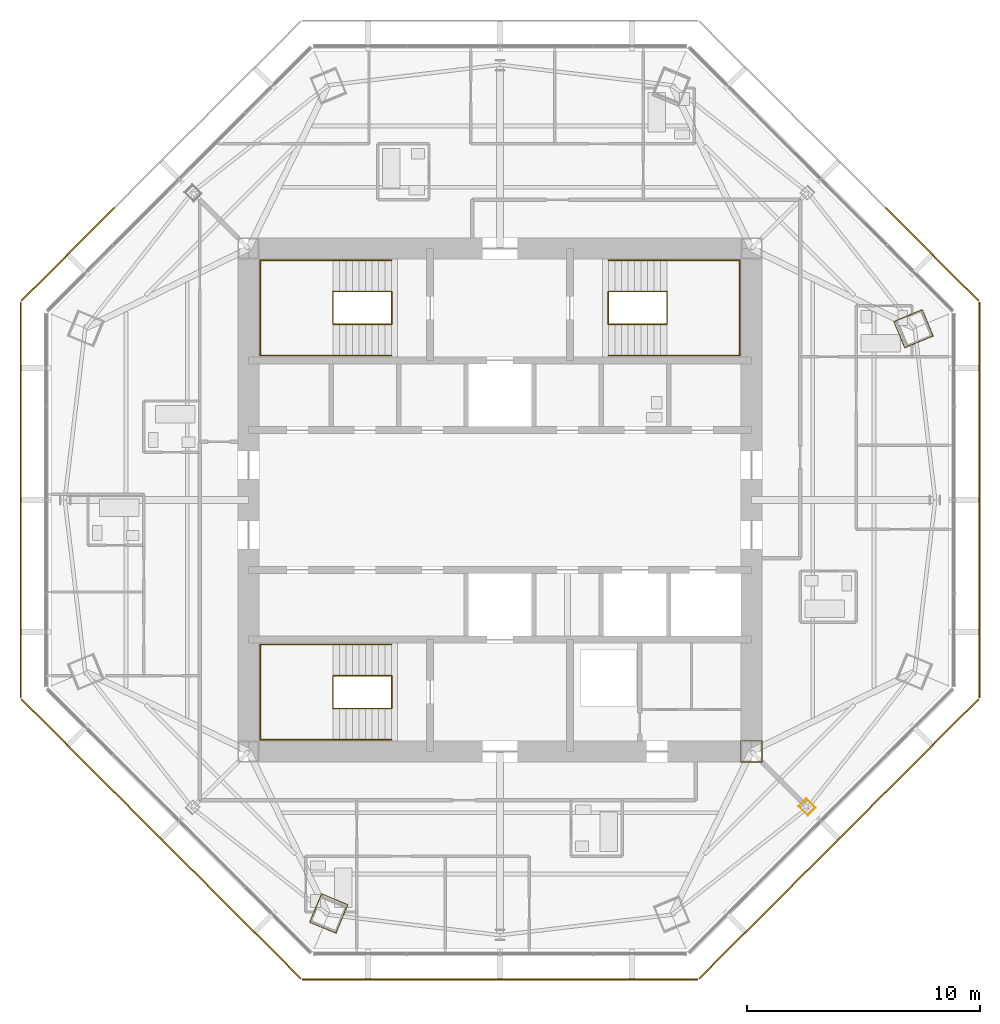
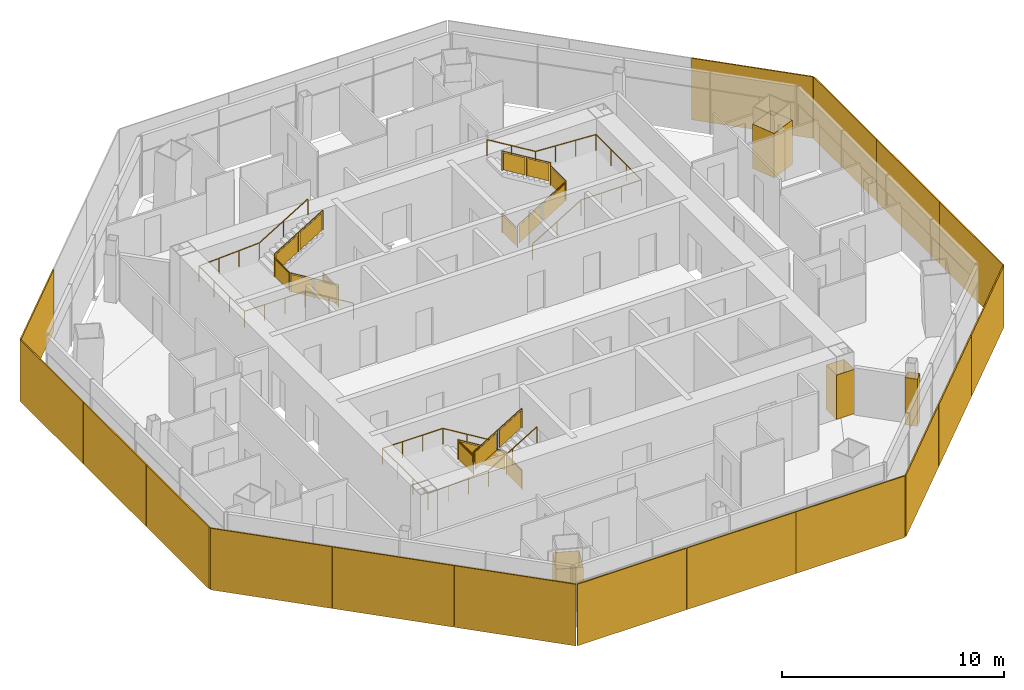
# One storey, part 13 of 15: 17 shading devices, 6 railings, 4 coverings.
"""IFC4 building model written with IfcOpenShell, lengths in metres."""

from ifc_helpers import new_model, si_unit, direction, frame, origin, origin_2d, place, context, subcontext, project, spatial, polyline, rectangle, circle, outline, extrude, source, transform, mapped, material, layer, layer_set, type_object, type_shapes, element, save


model = new_model("IFC4")

# Units and contexts
model_context = context("Model", 3, precision=1e-05, world=origin(), true_north=direction((0.0, 1.0)))
body_context = subcontext(model_context, "Body", "Model", "MODEL_VIEW")
ifc_project = project(units=[si_unit("LENGTHUNIT", "METRE"), si_unit("AREAUNIT", "SQUARE_METRE"), si_unit("VOLUMEUNIT", "CUBIC_METRE"), si_unit("PLANEANGLEUNIT", "RADIAN"), si_unit("MASSUNIT", "GRAM", prefix="KILO")], contexts=[model_context])

# Site, building, storey
site_placement = place(None, origin())
site = spatial("IfcSite", under=ifc_project, at=site_placement, CompositionType="ELEMENT")
building_placement = place(site_placement, origin())
building = spatial("IfcBuilding", under=site, at=building_placement, Name="Mashrafa Tower", CompositionType="ELEMENT")
storey_placement = place(building_placement, frame((0.0, 0.0, 301.39990234375)))
storey = spatial("IfcBuildingStorey", under=building, at=storey_placement, Name="L74", CompositionType="ELEMENT", Elevation=301.39990234375)

# Coverings
ifc_material_1 = material(Name="Gypsum board")
ifc_layer_1 = layer(ifc_material_1, 0.014892578125)
ifc_layer_set_1 = layer_set([ifc_layer_1], Name="Column casing plasterboard 15")
covering_type = type_object("IfcCoveringType", Name="Column casing plasterboard 15", PredefinedType="CLADDING", material=ifc_layer_set_1)
covering_1_placement = place(storey_placement, origin())
element("IfcCovering", 1, at=covering_1_placement, inside=storey, type_object=covering_type, Name="Column casing L74-001", PredefinedType="CLADDING", context=body_context, shape_type="SweptSolid", body=[
    extrude(outline(polyline([(16.910400390625, 7.670166015625), (18.033447265625, 8.13525390625), (18.143310546875, 8.180908203125), (18.614013671875, 7.044677734375), (18.504150390625, 6.9990234375), (17.381103515625, 6.53369140625), (16.910400390625, 7.670166015625)]), holes=[polyline([(18.498291015625, 7.0126953125), (18.594482421875, 7.052734375), (18.13525390625, 8.161376953125), (18.0390625, 8.12158203125), (16.929931640625, 7.662109375), (17.38916015625, 6.553466796875), (18.498291015625, 7.0126953125)])]), origin(), (0.0, 0.0, 1.0), 2.435791015625),
])
covering_2_placement = place(storey_placement, origin())
element("IfcCovering", 2, at=covering_2_placement, inside=storey, type_object=covering_type, Name="Column casing L74-003", PredefinedType="CLADDING", context=body_context, shape_type="SweptSolid", body=[
    extrude(outline(polyline([(-8.180908203125, -18.143310546875), (-8.13525390625, -18.033447265625), (-7.670166015625, -16.910400390625), (-6.53369140625, -17.381103515625), (-6.9990234375, -18.504150390625), (-7.044677734375, -18.614013671875), (-8.180908203125, -18.143310546875)]), holes=[polyline([(-7.0126953125, -18.498291015625), (-6.553466796875, -17.38916015625), (-7.662109375, -16.929931640625), (-8.12158203125, -18.0390625), (-8.161376953125, -18.13525390625), (-7.052734375, -18.594482421875), (-7.0126953125, -18.498291015625)])]), origin(), (0.0, 0.0, 1.0), 2.435791015625),
])
covering_3_placement = place(storey_placement, origin())
element("IfcCovering", 3, at=covering_3_placement, inside=storey, type_object=covering_type, Name="Column casing L74-005", PredefinedType="CLADDING", context=body_context, shape_type="SweptSolid", body=[
    extrude(outline(polyline([(12.807373046875, -13.146728515625), (13.146728515625, -12.807373046875), (13.55419921875, -13.21484375), (13.21484375, -13.55419921875), (12.807373046875, -13.146728515625)]), holes=[polyline([(13.533203125, -13.21484375), (13.146728515625, -12.82861328125), (12.82861328125, -13.146728515625), (13.21484375, -13.533203125), (13.533203125, -13.21484375)])]), origin(), (0.0, 0.0, 1.0), 2.590576171875),
])
covering_4_placement = place(storey_placement, origin())
element("IfcCovering", 4, at=covering_4_placement, inside=storey, type_object=covering_type, Name="Column casing L74-006", PredefinedType="CLADDING", context=body_context, shape_type="SweptSolid", body=[
    extrude(outline(polyline([(10.3349609375, -10.3349609375), (11.264892578125, -10.3349609375), (11.264892578125, -11.264892578125), (10.3349609375, -11.264892578125), (10.3349609375, -10.3349609375)]), holes=[polyline([(11.25, -11.25), (11.25, -10.35009765625), (10.35009765625, -10.35009765625), (10.35009765625, -11.25), (11.25, -11.25)])]), origin(), (0.0, 0.0, 1.0), 2.435791015625),
])

# Railings
ifc_material_2 = material(Name="Steel guard with glass infill", Category="steel")
railing_type_1 = type_object("IfcRailingType", Name="Stair guard 1100", PredefinedType="GUARDRAIL", material=ifc_material_2)
railing_1_placement = place(storey_placement, frame((-4.64990234375, 8.949951171875, 0.0)))
element("IfcRailing", 5, at=railing_1_placement, inside=storey, type_object=railing_type_1, Name="Stair S1 guard L74", PredefinedType="GUARDRAIL", context=body_context, shape_type="SweptSolid", body=[
    extrude(circle(Radius=0.02392578125, at=origin_2d()), frame((0.0, 0.0, 1.076171875), z_axis=(0.0, -1.0, 0.0), x_axis=(1.0, 0.0, 0.0)), (0.0, 0.0, 1.0), 1.39990234375),
    extrude(circle(Radius=0.02392578125, at=origin_2d()), frame((0.0, -1.39990234375, 1.076171875), z_axis=(0.0, 0.0, 1.0), x_axis=(1.0, 0.0, 0.0)), (0.0, 0.0, 1.0), 0.170166015625),
    extrude(circle(Radius=0.02392578125, at=origin_2d()), frame((0.0, -1.39990234375, 1.24609375), z_axis=(-0.85478489116, 0.0, 0.518982456201), x_axis=(0.0, -1.0, 0.0)), (0.0, 0.0, 1.0), 2.9482421875),
    extrude(circle(Radius=0.02392578125, at=origin_2d()), frame((-2.52001953125, -1.39990234375, 2.7763671875), z_axis=(0.0, 1.0, 0.0), x_axis=(-1.0, 0.0, 0.0)), (0.0, 0.0, 1.0), 1.39990234375),
    extrude(circle(Radius=0.02392578125, at=origin_2d()), frame((-2.52001953125, 0.0, 2.7763671875), z_axis=(0.0, 0.0, 1.0), x_axis=(1.0, 0.0, 0.0)), (0.0, 0.0, 1.0), 0.169921875),
    extrude(circle(Radius=0.02392578125, at=origin_2d()), frame((-2.52001953125, 0.0, 2.9462890625), z_axis=(0.85478489116, 0.0, 0.518982456201), x_axis=(0.0, 1.0, 0.0)), (0.0, 0.0, 1.0), 2.9482421875),
    extrude(circle(Radius=0.02099609375, at=origin_2d()), origin(), (0.0, 0.0, 1.0), 1.052001953125),
    extrude(circle(Radius=0.02099609375, at=origin_2d()), frame((0.0, -1.39990234375, 0.0)), (0.0, 0.0, 1.0), 1.052001953125),
    extrude(circle(Radius=0.02099609375, at=origin_2d()), frame((0.0, -1.39990234375, 0.170166015625)), (0.0, 0.0, 1.0), 1.052001953125),
    extrude(circle(Radius=0.02099609375, at=origin_2d()), frame((-1.260009765625, -1.39990234375, 0.93505859375)), (0.0, 0.0, 1.0), 1.052001953125),
    extrude(circle(Radius=0.02099609375, at=origin_2d()), frame((-2.52001953125, -1.39990234375, 1.7001953125)), (0.0, 0.0, 1.0), 1.052001953125),
    extrude(circle(Radius=0.02099609375, at=origin_2d()), frame((-2.52001953125, 0.0, 1.7001953125)), (0.0, 0.0, 1.0), 1.052001953125),
    extrude(circle(Radius=0.02099609375, at=origin_2d()), frame((-2.52001953125, 0.0, 1.8701171875)), (0.0, 0.0, 1.0), 1.052001953125),
    extrude(circle(Radius=0.02099609375, at=origin_2d()), frame((-1.260009765625, 0.0, 2.63525390625)), (0.0, 0.0, 1.0), 1.052001953125),
    extrude(circle(Radius=0.02099609375, at=origin_2d()), frame((0.0, 0.0, 3.400146484375)), (0.0, 0.0, 1.0), 1.052001953125),
    extrude(outline(polyline([(0.071044921875, 0.050048828125), (1.328857421875, 0.050048828125), (1.328857421875, 1.001953125), (0.071044921875, 1.001953125), (0.071044921875, 0.050048828125)])), frame((-0.006103515625, 0.0, 0.0), z_axis=(-1.0, 0.0, 0.0), x_axis=(0.0, -1.0, 0.0)), (0.0, 0.0, 1.0), 0.011962890625),
    extrude(outline(polyline([(0.071044921875, 0.093017578125), (1.18896484375, 0.77197265625), (1.18896484375, 1.723876953125), (0.071044921875, 1.045166015625), (0.071044921875, 0.093017578125)])), frame((0.0, -1.393798828125, 0.170166015625), z_axis=(0.0, 1.0, 0.0), x_axis=(-1.0, 0.0, 0.0)), (0.0, 0.0, 1.0), 0.011962890625),
    extrude(outline(polyline([(1.3310546875, 0.858154296875), (2.448974609375, 1.536865234375), (2.448974609375, 2.489013671875), (1.3310546875, 1.81005859375), (1.3310546875, 0.858154296875)])), frame((0.0, -1.393798828125, 0.170166015625), z_axis=(0.0, 1.0, 0.0), x_axis=(-1.0, 0.0, 0.0)), (0.0, 0.0, 1.0), 0.011962890625),
    extrude(outline(polyline([(0.071044921875, 0.050048828125), (1.328857421875, 0.050048828125), (1.328857421875, 1.001953125), (0.071044921875, 1.001953125), (0.071044921875, 0.050048828125)])), frame((-2.513916015625, -1.39990234375, 1.7001953125), z_axis=(1.0, 0.0, 0.0), x_axis=(0.0, 1.0, 0.0)), (0.0, 0.0, 1.0), 0.011962890625),
    extrude(outline(polyline([(0.071044921875, 0.093017578125), (1.18896484375, 0.77197265625), (1.18896484375, 1.723876953125), (0.071044921875, 1.045166015625), (0.071044921875, 0.093017578125)])), frame((-2.52001953125, -0.006103515625, 1.8701171875), z_axis=(0.0, -1.0, 0.0), x_axis=(1.0, 0.0, 0.0)), (0.0, 0.0, 1.0), 0.011962890625),
    extrude(outline(polyline([(1.3310546875, 0.858154296875), (2.448974609375, 1.536865234375), (2.448974609375, 2.489013671875), (1.3310546875, 1.81005859375), (1.3310546875, 0.858154296875)])), frame((-2.52001953125, -0.006103515625, 1.8701171875), z_axis=(0.0, -1.0, 0.0), x_axis=(1.0, 0.0, 0.0)), (0.0, 0.0, 1.0), 0.011962890625),
])
railing_2_placement = place(storey_placement, frame((4.64990234375, 8.949951171875, 0.0)))
element("IfcRailing", 6, at=railing_2_placement, inside=storey, type_object=railing_type_1, Name="Stair S2 guard L74", PredefinedType="GUARDRAIL", context=body_context, shape_type="SweptSolid", body=[
    extrude(circle(Radius=0.02392578125, at=origin_2d()), frame((0.0, 0.0, 1.076171875), z_axis=(0.0, -1.0, 0.0), x_axis=(1.0, 0.0, 0.0)), (0.0, 0.0, 1.0), 1.39990234375),
    extrude(circle(Radius=0.02392578125, at=origin_2d()), frame((0.0, -1.39990234375, 1.076171875), z_axis=(0.0, 0.0, 1.0), x_axis=(1.0, 0.0, 0.0)), (0.0, 0.0, 1.0), 0.170166015625),
    extrude(circle(Radius=0.02392578125, at=origin_2d()), frame((0.0, -1.39990234375, 1.24609375), z_axis=(0.85478489116, 0.0, 0.518982456201), x_axis=(0.0, 1.0, 0.0)), (0.0, 0.0, 1.0), 2.9482421875),
    extrude(circle(Radius=0.02392578125, at=origin_2d()), frame((2.52001953125, -1.39990234375, 2.7763671875), z_axis=(0.0, 1.0, 0.0), x_axis=(-1.0, 0.0, 0.0)), (0.0, 0.0, 1.0), 1.39990234375),
    extrude(circle(Radius=0.02392578125, at=origin_2d()), frame((2.52001953125, 0.0, 2.7763671875), z_axis=(0.0, 0.0, 1.0), x_axis=(1.0, 0.0, 0.0)), (0.0, 0.0, 1.0), 0.169921875),
    extrude(circle(Radius=0.02392578125, at=origin_2d()), frame((2.52001953125, 0.0, 2.9462890625), z_axis=(-0.85478489116, 0.0, 0.518982456201), x_axis=(0.0, -1.0, 0.0)), (0.0, 0.0, 1.0), 2.9482421875),
    extrude(circle(Radius=0.02099609375, at=origin_2d()), origin(), (0.0, 0.0, 1.0), 1.052001953125),
    extrude(circle(Radius=0.02099609375, at=origin_2d()), frame((0.0, -1.39990234375, 0.0)), (0.0, 0.0, 1.0), 1.052001953125),
    extrude(circle(Radius=0.02099609375, at=origin_2d()), frame((0.0, -1.39990234375, 0.170166015625)), (0.0, 0.0, 1.0), 1.052001953125),
    extrude(circle(Radius=0.02099609375, at=origin_2d()), frame((1.260009765625, -1.39990234375, 0.93505859375)), (0.0, 0.0, 1.0), 1.052001953125),
    extrude(circle(Radius=0.02099609375, at=origin_2d()), frame((2.52001953125, -1.39990234375, 1.7001953125)), (0.0, 0.0, 1.0), 1.052001953125),
    extrude(circle(Radius=0.02099609375, at=origin_2d()), frame((2.52001953125, 0.0, 1.7001953125)), (0.0, 0.0, 1.0), 1.052001953125),
    extrude(circle(Radius=0.02099609375, at=origin_2d()), frame((2.52001953125, 0.0, 1.8701171875)), (0.0, 0.0, 1.0), 1.052001953125),
    extrude(circle(Radius=0.02099609375, at=origin_2d()), frame((1.260009765625, 0.0, 2.63525390625)), (0.0, 0.0, 1.0), 1.052001953125),
    extrude(circle(Radius=0.02099609375, at=origin_2d()), frame((0.0, 0.0, 3.400146484375)), (0.0, 0.0, 1.0), 1.052001953125),
    extrude(outline(polyline([(0.071044921875, 0.050048828125), (1.328857421875, 0.050048828125), (1.328857421875, 1.001953125), (0.071044921875, 1.001953125), (0.071044921875, 0.050048828125)])), frame((-0.006103515625, 0.0, 0.0), z_axis=(-1.0, 0.0, 0.0), x_axis=(0.0, -1.0, 0.0)), (0.0, 0.0, 1.0), 0.011962890625),
    extrude(outline(polyline([(0.071044921875, 0.093017578125), (1.18896484375, 0.77197265625), (1.18896484375, 1.723876953125), (0.071044921875, 1.045166015625), (0.071044921875, 0.093017578125)])), frame((0.0, -1.406005859375, 0.170166015625), z_axis=(0.0, -1.0, 0.0), x_axis=(1.0, 0.0, 0.0)), (0.0, 0.0, 1.0), 0.011962890625),
    extrude(outline(polyline([(1.3310546875, 0.858154296875), (2.448974609375, 1.536865234375), (2.448974609375, 2.489013671875), (1.3310546875, 1.81005859375), (1.3310546875, 0.858154296875)])), frame((0.0, -1.406005859375, 0.170166015625), z_axis=(0.0, -1.0, 0.0), x_axis=(1.0, 0.0, 0.0)), (0.0, 0.0, 1.0), 0.011962890625),
    extrude(outline(polyline([(0.071044921875, 0.050048828125), (1.328857421875, 0.050048828125), (1.328857421875, 1.001953125), (0.071044921875, 1.001953125), (0.071044921875, 0.050048828125)])), frame((2.526123046875, -1.39990234375, 1.7001953125), z_axis=(1.0, 0.0, 0.0), x_axis=(0.0, 1.0, 0.0)), (0.0, 0.0, 1.0), 0.011962890625),
    extrude(outline(polyline([(0.071044921875, 0.093017578125), (1.18896484375, 0.77197265625), (1.18896484375, 1.723876953125), (0.071044921875, 1.045166015625), (0.071044921875, 0.093017578125)])), frame((2.52001953125, 0.006103515625, 1.8701171875), z_axis=(0.0, 1.0, 0.0), x_axis=(-1.0, 0.0, 0.0)), (0.0, 0.0, 1.0), 0.011962890625),
    extrude(outline(polyline([(1.3310546875, 0.858154296875), (2.448974609375, 1.536865234375), (2.448974609375, 2.489013671875), (1.3310546875, 1.81005859375), (1.3310546875, 0.858154296875)])), frame((2.52001953125, 0.006103515625, 1.8701171875), z_axis=(0.0, 1.0, 0.0), x_axis=(-1.0, 0.0, 0.0)), (0.0, 0.0, 1.0), 0.011962890625),
])
railing_3_placement = place(storey_placement, frame((-4.64990234375, -8.949951171875, 0.0)))
element("IfcRailing", 7, at=railing_3_placement, inside=storey, type_object=railing_type_1, Name="Stair S3 guard L74", PredefinedType="GUARDRAIL", context=body_context, shape_type="SweptSolid", body=[
    extrude(circle(Radius=0.02392578125, at=origin_2d()), frame((0.0, 0.0, 1.076171875), z_axis=(0.0, 1.0, 0.0), x_axis=(-1.0, 0.0, 0.0)), (0.0, 0.0, 1.0), 1.39990234375),
    extrude(circle(Radius=0.02392578125, at=origin_2d()), frame((0.0, 1.39990234375, 1.076171875), z_axis=(0.0, 0.0, 1.0), x_axis=(1.0, 0.0, 0.0)), (0.0, 0.0, 1.0), 0.170166015625),
    extrude(circle(Radius=0.02392578125, at=origin_2d()), frame((0.0, 1.39990234375, 1.24609375), z_axis=(-0.85478489116, 0.0, 0.518982456201), x_axis=(0.0, -1.0, 0.0)), (0.0, 0.0, 1.0), 2.9482421875),
    extrude(circle(Radius=0.02392578125, at=origin_2d()), frame((-2.52001953125, 1.39990234375, 2.7763671875), z_axis=(0.0, -1.0, 0.0), x_axis=(1.0, 0.0, 0.0)), (0.0, 0.0, 1.0), 1.39990234375),
    extrude(circle(Radius=0.02392578125, at=origin_2d()), frame((-2.52001953125, 0.0, 2.7763671875), z_axis=(0.0, 0.0, 1.0), x_axis=(1.0, 0.0, 0.0)), (0.0, 0.0, 1.0), 0.169921875),
    extrude(circle(Radius=0.02392578125, at=origin_2d()), frame((-2.52001953125, 0.0, 2.9462890625), z_axis=(0.85478489116, 0.0, 0.518982456201), x_axis=(0.0, 1.0, 0.0)), (0.0, 0.0, 1.0), 2.9482421875),
    extrude(circle(Radius=0.02099609375, at=origin_2d()), origin(), (0.0, 0.0, 1.0), 1.052001953125),
    extrude(circle(Radius=0.02099609375, at=origin_2d()), frame((0.0, 1.39990234375, 0.0)), (0.0, 0.0, 1.0), 1.052001953125),
    extrude(circle(Radius=0.02099609375, at=origin_2d()), frame((0.0, 1.39990234375, 0.170166015625)), (0.0, 0.0, 1.0), 1.052001953125),
    extrude(circle(Radius=0.02099609375, at=origin_2d()), frame((-1.260009765625, 1.39990234375, 0.93505859375)), (0.0, 0.0, 1.0), 1.052001953125),
    extrude(circle(Radius=0.02099609375, at=origin_2d()), frame((-2.52001953125, 1.39990234375, 1.7001953125)), (0.0, 0.0, 1.0), 1.052001953125),
    extrude(circle(Radius=0.02099609375, at=origin_2d()), frame((-2.52001953125, 0.0, 1.7001953125)), (0.0, 0.0, 1.0), 1.052001953125),
    extrude(circle(Radius=0.02099609375, at=origin_2d()), frame((-2.52001953125, 0.0, 1.8701171875)), (0.0, 0.0, 1.0), 1.052001953125),
    extrude(circle(Radius=0.02099609375, at=origin_2d()), frame((-1.260009765625, 0.0, 2.63525390625)), (0.0, 0.0, 1.0), 1.052001953125),
    extrude(circle(Radius=0.02099609375, at=origin_2d()), frame((0.0, 0.0, 3.400146484375)), (0.0, 0.0, 1.0), 1.052001953125),
    extrude(outline(polyline([(0.071044921875, 0.050048828125), (1.328857421875, 0.050048828125), (1.328857421875, 1.001953125), (0.071044921875, 1.001953125), (0.071044921875, 0.050048828125)])), frame((0.006103515625, 0.0, 0.0), z_axis=(1.0, 0.0, 0.0), x_axis=(0.0, 1.0, 0.0)), (0.0, 0.0, 1.0), 0.011962890625),
    extrude(outline(polyline([(0.071044921875, 0.093017578125), (1.18896484375, 0.77197265625), (1.18896484375, 1.723876953125), (0.071044921875, 1.045166015625), (0.071044921875, 0.093017578125)])), frame((0.0, 1.406005859375, 0.170166015625), z_axis=(0.0, 1.0, 0.0), x_axis=(-1.0, 0.0, 0.0)), (0.0, 0.0, 1.0), 0.011962890625),
    extrude(outline(polyline([(1.3310546875, 0.858154296875), (2.448974609375, 1.536865234375), (2.448974609375, 2.489013671875), (1.3310546875, 1.81005859375), (1.3310546875, 0.858154296875)])), frame((0.0, 1.406005859375, 0.170166015625), z_axis=(0.0, 1.0, 0.0), x_axis=(-1.0, 0.0, 0.0)), (0.0, 0.0, 1.0), 0.011962890625),
    extrude(outline(polyline([(0.071044921875, 0.050048828125), (1.328857421875, 0.050048828125), (1.328857421875, 1.001953125), (0.071044921875, 1.001953125), (0.071044921875, 0.050048828125)])), frame((-2.526123046875, 1.39990234375, 1.7001953125), z_axis=(-1.0, 0.0, 0.0), x_axis=(0.0, -1.0, 0.0)), (0.0, 0.0, 1.0), 0.011962890625),
    extrude(outline(polyline([(0.071044921875, 0.093017578125), (1.18896484375, 0.77197265625), (1.18896484375, 1.723876953125), (0.071044921875, 1.045166015625), (0.071044921875, 0.093017578125)])), frame((-2.52001953125, -0.006103515625, 1.8701171875), z_axis=(0.0, -1.0, 0.0), x_axis=(1.0, 0.0, 0.0)), (0.0, 0.0, 1.0), 0.011962890625),
    extrude(outline(polyline([(1.3310546875, 0.858154296875), (2.448974609375, 1.536865234375), (2.448974609375, 2.489013671875), (1.3310546875, 1.81005859375), (1.3310546875, 0.858154296875)])), frame((-2.52001953125, -0.006103515625, 1.8701171875), z_axis=(0.0, -1.0, 0.0), x_axis=(1.0, 0.0, 0.0)), (0.0, 0.0, 1.0), 0.011962890625),
])
ifc_material_3 = material(Name="Steel", Category="steel")
railing_type_2 = type_object("IfcRailingType", Name="Stair handrail 900", PredefinedType="HANDRAIL", material=ifc_material_3)
railing_4_placement = place(storey_placement, frame((-4.64990234375, 6.199951171875, 0.170166015625)))
element("IfcRailing", 8, at=railing_4_placement, inside=storey, type_object=railing_type_2, Name="Stair S1 handrail L74", PredefinedType="HANDRAIL", context=body_context, shape_type="SweptSolid", body=[
    extrude(circle(Radius=0.02392578125, at=origin_2d()), frame((0.0, 0.0, 0.8759765625), z_axis=(-0.85478489116, 0.0, 0.518982456201), x_axis=(0.0, -1.0, 0.0)), (0.0, 0.0, 1.0), 2.9482421875),
    extrude(circle(Radius=0.02392578125, at=origin_2d()), frame((-2.52001953125, 0.0, 2.40576171875), z_axis=(-1.0, 0.0, 0.0), x_axis=(0.0, -1.0, 0.0)), (0.0, 0.0, 1.0), 3.130126953125),
    extrude(circle(Radius=0.02392578125, at=origin_2d()), frame((-5.650146484375, 0.0, 2.40576171875), z_axis=(0.0, 1.0, 0.0), x_axis=(-1.0, 0.0, 0.0)), (0.0, 0.0, 1.0), 4.10009765625),
    extrude(circle(Radius=0.02392578125, at=origin_2d()), frame((-5.650146484375, 4.10009765625, 2.40576171875), z_axis=(0.998529767259, 0.0, 0.054206124172), x_axis=(0.0, 1.0, 0.0)), (0.0, 0.0, 1.0), 3.134765625),
    extrude(circle(Radius=0.02392578125, at=origin_2d()), frame((-2.52001953125, 4.10009765625, 2.57568359375), z_axis=(0.85478489116, 0.0, 0.518982456201), x_axis=(0.0, 1.0, 0.0)), (0.0, 0.0, 1.0), 2.9482421875),
    extrude(circle(Radius=0.02099609375, at=origin_2d()), origin(), (0.0, 0.0, 1.0), 0.851806640625),
    extrude(circle(Radius=0.02099609375, at=origin_2d()), frame((-1.260009765625, 0.0, 0.76513671875)), (0.0, 0.0, 1.0), 0.851806640625),
    extrude(circle(Radius=0.02099609375, at=origin_2d()), frame((-2.52001953125, 0.0, 1.530029296875)), (0.0, 0.0, 1.0), 0.851806640625),
    extrude(circle(Radius=0.02099609375, at=origin_2d()), frame((-3.5634765625, 0.0, 1.530029296875)), (0.0, 0.0, 1.0), 0.851806640625),
    extrude(circle(Radius=0.02099609375, at=origin_2d()), frame((-4.606689453125, 0.0, 1.530029296875)), (0.0, 0.0, 1.0), 0.851806640625),
    extrude(circle(Radius=0.02099609375, at=origin_2d()), frame((-5.650146484375, 0.0, 1.530029296875)), (0.0, 0.0, 1.0), 0.851806640625),
    extrude(circle(Radius=0.02099609375, at=origin_2d()), frame((-5.650146484375, 1.36669921875, 1.530029296875)), (0.0, 0.0, 1.0), 0.851806640625),
    extrude(circle(Radius=0.02099609375, at=origin_2d()), frame((-5.650146484375, 2.7333984375, 1.530029296875)), (0.0, 0.0, 1.0), 0.851806640625),
    extrude(circle(Radius=0.02099609375, at=origin_2d()), frame((-5.650146484375, 4.10009765625, 1.530029296875)), (0.0, 0.0, 1.0), 0.851806640625),
    extrude(circle(Radius=0.02099609375, at=origin_2d()), frame((-4.606689453125, 4.10009765625, 1.586669921875)), (0.0, 0.0, 1.0), 0.851806640625),
    extrude(circle(Radius=0.02099609375, at=origin_2d()), frame((-3.5634765625, 4.10009765625, 1.643310546875)), (0.0, 0.0, 1.0), 0.851806640625),
    extrude(circle(Radius=0.02099609375, at=origin_2d()), frame((-2.52001953125, 4.10009765625, 1.699951171875)), (0.0, 0.0, 1.0), 0.851806640625),
    extrude(circle(Radius=0.02099609375, at=origin_2d()), frame((-1.260009765625, 4.10009765625, 2.46484375)), (0.0, 0.0, 1.0), 0.851806640625),
    extrude(circle(Radius=0.02099609375, at=origin_2d()), frame((0.0, 4.10009765625, 3.22998046875)), (0.0, 0.0, 1.0), 0.851806640625),
])
railing_5_placement = place(storey_placement, frame((4.64990234375, 6.199951171875, 0.170166015625)))
element("IfcRailing", 9, at=railing_5_placement, inside=storey, type_object=railing_type_2, Name="Stair S2 handrail L74", PredefinedType="HANDRAIL", context=body_context, shape_type="SweptSolid", body=[
    extrude(circle(Radius=0.02392578125, at=origin_2d()), frame((0.0, 0.0, 0.8759765625), z_axis=(0.85478489116, 0.0, 0.518982456201), x_axis=(0.0, 1.0, 0.0)), (0.0, 0.0, 1.0), 2.9482421875),
    extrude(circle(Radius=0.02392578125, at=origin_2d()), frame((2.52001953125, 0.0, 2.40576171875), z_axis=(1.0, 0.0, 0.0), x_axis=(0.0, 1.0, 0.0)), (0.0, 0.0, 1.0), 3.130126953125),
    extrude(circle(Radius=0.02392578125, at=origin_2d()), frame((5.650146484375, 0.0, 2.40576171875), z_axis=(0.0, 1.0, 0.0), x_axis=(-1.0, 0.0, 0.0)), (0.0, 0.0, 1.0), 4.10009765625),
    extrude(circle(Radius=0.02392578125, at=origin_2d()), frame((5.650146484375, 4.10009765625, 2.40576171875), z_axis=(-0.998529767259, 0.0, 0.054206124172), x_axis=(0.0, -1.0, 0.0)), (0.0, 0.0, 1.0), 3.134765625),
    extrude(circle(Radius=0.02392578125, at=origin_2d()), frame((2.52001953125, 4.10009765625, 2.57568359375), z_axis=(-0.85478489116, 0.0, 0.518982456201), x_axis=(0.0, -1.0, 0.0)), (0.0, 0.0, 1.0), 2.9482421875),
    extrude(circle(Radius=0.02099609375, at=origin_2d()), origin(), (0.0, 0.0, 1.0), 0.851806640625),
    extrude(circle(Radius=0.02099609375, at=origin_2d()), frame((1.260009765625, 0.0, 0.76513671875)), (0.0, 0.0, 1.0), 0.851806640625),
    extrude(circle(Radius=0.02099609375, at=origin_2d()), frame((2.52001953125, 0.0, 1.530029296875)), (0.0, 0.0, 1.0), 0.851806640625),
    extrude(circle(Radius=0.02099609375, at=origin_2d()), frame((3.5634765625, 0.0, 1.530029296875)), (0.0, 0.0, 1.0), 0.851806640625),
    extrude(circle(Radius=0.02099609375, at=origin_2d()), frame((4.606689453125, 0.0, 1.530029296875)), (0.0, 0.0, 1.0), 0.851806640625),
    extrude(circle(Radius=0.02099609375, at=origin_2d()), frame((5.650146484375, 0.0, 1.530029296875)), (0.0, 0.0, 1.0), 0.851806640625),
    extrude(circle(Radius=0.02099609375, at=origin_2d()), frame((5.650146484375, 1.36669921875, 1.530029296875)), (0.0, 0.0, 1.0), 0.851806640625),
    extrude(circle(Radius=0.02099609375, at=origin_2d()), frame((5.650146484375, 2.7333984375, 1.530029296875)), (0.0, 0.0, 1.0), 0.851806640625),
    extrude(circle(Radius=0.02099609375, at=origin_2d()), frame((5.650146484375, 4.10009765625, 1.530029296875)), (0.0, 0.0, 1.0), 0.851806640625),
    extrude(circle(Radius=0.02099609375, at=origin_2d()), frame((4.606689453125, 4.10009765625, 1.586669921875)), (0.0, 0.0, 1.0), 0.851806640625),
    extrude(circle(Radius=0.02099609375, at=origin_2d()), frame((3.5634765625, 4.10009765625, 1.643310546875)), (0.0, 0.0, 1.0), 0.851806640625),
    extrude(circle(Radius=0.02099609375, at=origin_2d()), frame((2.52001953125, 4.10009765625, 1.699951171875)), (0.0, 0.0, 1.0), 0.851806640625),
    extrude(circle(Radius=0.02099609375, at=origin_2d()), frame((1.260009765625, 4.10009765625, 2.46484375)), (0.0, 0.0, 1.0), 0.851806640625),
    extrude(circle(Radius=0.02099609375, at=origin_2d()), frame((0.0, 4.10009765625, 3.22998046875)), (0.0, 0.0, 1.0), 0.851806640625),
])
railing_6_placement = place(storey_placement, frame((-4.64990234375, -6.199951171875, 0.170166015625)))
element("IfcRailing", 10, at=railing_6_placement, inside=storey, type_object=railing_type_2, Name="Stair S3 handrail L74", PredefinedType="HANDRAIL", context=body_context, shape_type="SweptSolid", body=[
    extrude(circle(Radius=0.02392578125, at=origin_2d()), frame((0.0, 0.0, 0.8759765625), z_axis=(-0.85478489116, 0.0, 0.518982456201), x_axis=(0.0, -1.0, 0.0)), (0.0, 0.0, 1.0), 2.9482421875),
    extrude(circle(Radius=0.02392578125, at=origin_2d()), frame((-2.52001953125, 0.0, 2.40576171875), z_axis=(-1.0, 0.0, 0.0), x_axis=(0.0, -1.0, 0.0)), (0.0, 0.0, 1.0), 3.130126953125),
    extrude(circle(Radius=0.02392578125, at=origin_2d()), frame((-5.650146484375, 0.0, 2.40576171875), z_axis=(0.0, -1.0, 0.0), x_axis=(1.0, 0.0, 0.0)), (0.0, 0.0, 1.0), 4.10009765625),
    extrude(circle(Radius=0.02392578125, at=origin_2d()), frame((-5.650146484375, -4.10009765625, 2.40576171875), z_axis=(0.998529767259, 0.0, 0.054206124172), x_axis=(0.0, 1.0, 0.0)), (0.0, 0.0, 1.0), 3.134765625),
    extrude(circle(Radius=0.02392578125, at=origin_2d()), frame((-2.52001953125, -4.10009765625, 2.57568359375), z_axis=(0.85478489116, 0.0, 0.518982456201), x_axis=(0.0, 1.0, 0.0)), (0.0, 0.0, 1.0), 2.9482421875),
    extrude(circle(Radius=0.02099609375, at=origin_2d()), origin(), (0.0, 0.0, 1.0), 0.851806640625),
    extrude(circle(Radius=0.02099609375, at=origin_2d()), frame((-1.260009765625, 0.0, 0.76513671875)), (0.0, 0.0, 1.0), 0.851806640625),
    extrude(circle(Radius=0.02099609375, at=origin_2d()), frame((-2.52001953125, 0.0, 1.530029296875)), (0.0, 0.0, 1.0), 0.851806640625),
    extrude(circle(Radius=0.02099609375, at=origin_2d()), frame((-3.5634765625, 0.0, 1.530029296875)), (0.0, 0.0, 1.0), 0.851806640625),
    extrude(circle(Radius=0.02099609375, at=origin_2d()), frame((-4.606689453125, 0.0, 1.530029296875)), (0.0, 0.0, 1.0), 0.851806640625),
    extrude(circle(Radius=0.02099609375, at=origin_2d()), frame((-5.650146484375, 0.0, 1.530029296875)), (0.0, 0.0, 1.0), 0.851806640625),
    extrude(circle(Radius=0.02099609375, at=origin_2d()), frame((-5.650146484375, -1.36669921875, 1.530029296875)), (0.0, 0.0, 1.0), 0.851806640625),
    extrude(circle(Radius=0.02099609375, at=origin_2d()), frame((-5.650146484375, -2.7333984375, 1.530029296875)), (0.0, 0.0, 1.0), 0.851806640625),
    extrude(circle(Radius=0.02099609375, at=origin_2d()), frame((-5.650146484375, -4.10009765625, 1.530029296875)), (0.0, 0.0, 1.0), 0.851806640625),
    extrude(circle(Radius=0.02099609375, at=origin_2d()), frame((-4.606689453125, -4.10009765625, 1.586669921875)), (0.0, 0.0, 1.0), 0.851806640625),
    extrude(circle(Radius=0.02099609375, at=origin_2d()), frame((-3.5634765625, -4.10009765625, 1.643310546875)), (0.0, 0.0, 1.0), 0.851806640625),
    extrude(circle(Radius=0.02099609375, at=origin_2d()), frame((-2.52001953125, -4.10009765625, 1.699951171875)), (0.0, 0.0, 1.0), 0.851806640625),
    extrude(circle(Radius=0.02099609375, at=origin_2d()), frame((-1.260009765625, -4.10009765625, 2.46484375)), (0.0, 0.0, 1.0), 0.851806640625),
    extrude(circle(Radius=0.02099609375, at=origin_2d()), frame((0.0, -4.10009765625, 3.22998046875)), (0.0, 0.0, 1.0), 0.851806640625),
])

# Shading devices
ifc_material_4 = material(Name="Perforated aluminium plate, eight-point star pattern", Category="aluminium")
ifc_layer_2 = layer(ifc_material_4, 0.06005859375)
ifc_layer_set_2 = layer_set([ifc_layer_2], Name="Mashrabiya screen panel apartment zone 4, 22 percent open")
shading_device_type = type_object("IfcShadingDeviceType", Name="Mashrabiya screen panel apartment zone 4, 22 percent open", PredefinedType="SHUTTER", material=ifc_layer_set_2)
shared_shape = source(origin(), body_context, "Body", "SweptSolid", [
    extrude(rectangle(XDim=5.650390625, YDim=0.06005859375, at=origin_2d()), origin(), (0.0, 0.0, 1.0), 3.3798828125),
])
type_shapes(shading_device_type, [shared_shape])
for number, where, z_axis, x_axis, name in (
    (11, (20.588623046875, -5.67041015625, -0.14990234375), (0.0, 0.0, 1.0), (0.0, 1.0, 0.0), "Mashrabiya screen L74 east 1"),
    (12, (20.588623046875, 0.0, -0.14990234375), (0.0, 0.0, 1.0), (0.0, 1.0, 0.0), "Mashrabiya screen L74 east 2"),
    (13, (20.588623046875, 5.67041015625, -0.14990234375), (0.0, 0.0, 1.0), (0.0, 1.0, 0.0), "Mashrabiya screen L74 east 3"),
    (14, (18.56787109375, 10.548828125, -0.14990234375), (0.0, 0.0, 1.0), (-0.707106781187, 0.707106781187, 0.0), "Mashrabiya screen L74 north-east 1"),
    (15, (-18.56787109375, 10.548828125, -0.14990234375), (0.0, 0.0, 1.0), (-0.707106781187, -0.707106781187, 0.0), "Mashrabiya screen L74 north-west 3"),
    (16, (-20.588623046875, 5.67041015625, -0.14990234375), (0.0, 0.0, 1.0), (0.0, -1.0, 0.0), "Mashrabiya screen L74 west 1"),
    (17, (-20.588623046875, 0.0, -0.14990234375), (0.0, 0.0, 1.0), (0.0, -1.0, 0.0), "Mashrabiya screen L74 west 2"),
    (18, (-20.588623046875, -5.67041015625, -0.14990234375), (0.0, 0.0, 1.0), (0.0, -1.0, 0.0), "Mashrabiya screen L74 west 3"),
    (19, (-18.56787109375, -10.548828125, -0.14990234375), (0.0, 0.0, 1.0), (0.707106781187, -0.707106781187, 0.0), "Mashrabiya screen L74 south-west 1"),
    (20, (-14.558349609375, -14.558349609375, -0.14990234375), (0.0, 0.0, 1.0), (0.707106781187, -0.707106781187, 0.0), "Mashrabiya screen L74 south-west 2"),
    (21, (-10.548828125, -18.56787109375, -0.14990234375), (0.0, 0.0, 1.0), (0.707106781187, -0.707106781187, 0.0), "Mashrabiya screen L74 south-west 3"),
    (22, (-5.67041015625, -20.588623046875, -0.14990234375), (0.0, 0.0, 1.0), (1.0, 0.0, 0.0), "Mashrabiya screen L74 south 1"),
    (23, (0.0, -20.588623046875, -0.14990234375), (0.0, 0.0, 1.0), (1.0, 0.0, 0.0), "Mashrabiya screen L74 south 2"),
    (24, (5.67041015625, -20.588623046875, -0.14990234375), (0.0, 0.0, 1.0), (1.0, 0.0, 0.0), "Mashrabiya screen L74 south 3"),
    (25, (10.548828125, -18.56787109375, -0.14990234375), (0.0, 0.0, 1.0), (0.707106781187, 0.707106781187, 0.0), "Mashrabiya screen L74 south-east 1"),
    (26, (14.558349609375, -14.558349609375, -0.14990234375), (0.0, 0.0, 1.0), (0.707106781187, 0.707106781187, 0.0), "Mashrabiya screen L74 south-east 2"),
    (27, (18.56787109375, -10.548828125, -0.14990234375), (0.0, 0.0, 1.0), (0.707106781187, 0.707106781187, 0.0), "Mashrabiya screen L74 south-east 3"),
):
    element("IfcShadingDevice", number, at=place(storey_placement, frame(where, z_axis=z_axis, x_axis=x_axis)), inside=storey, type_object=shading_device_type, Name=name, PredefinedType="SHUTTER", context=body_context, shape_type="MappedRepresentation", body=[
        mapped(shared_shape, transform((0.0, 0.0, 0.0))),
    ])

save(model, "model.ifc")
